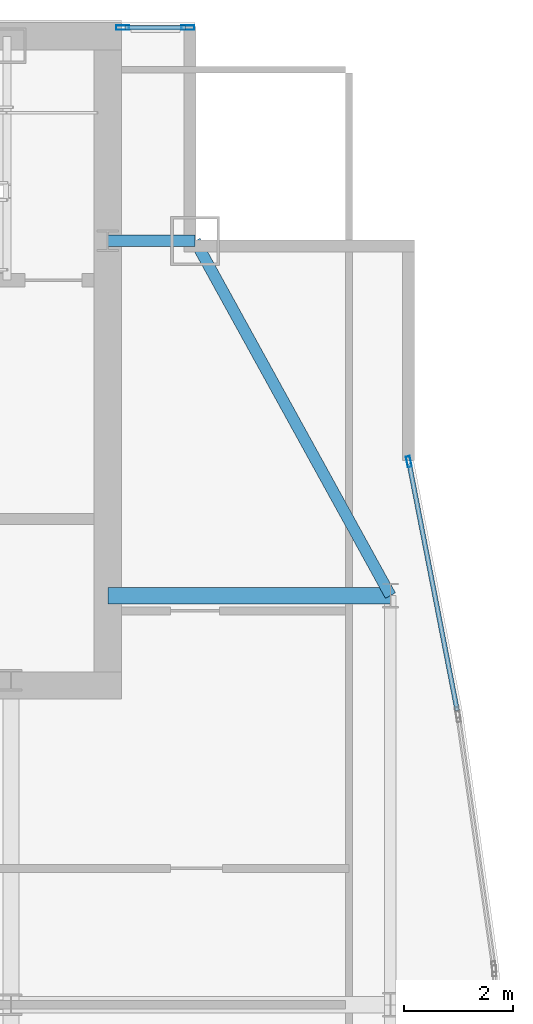
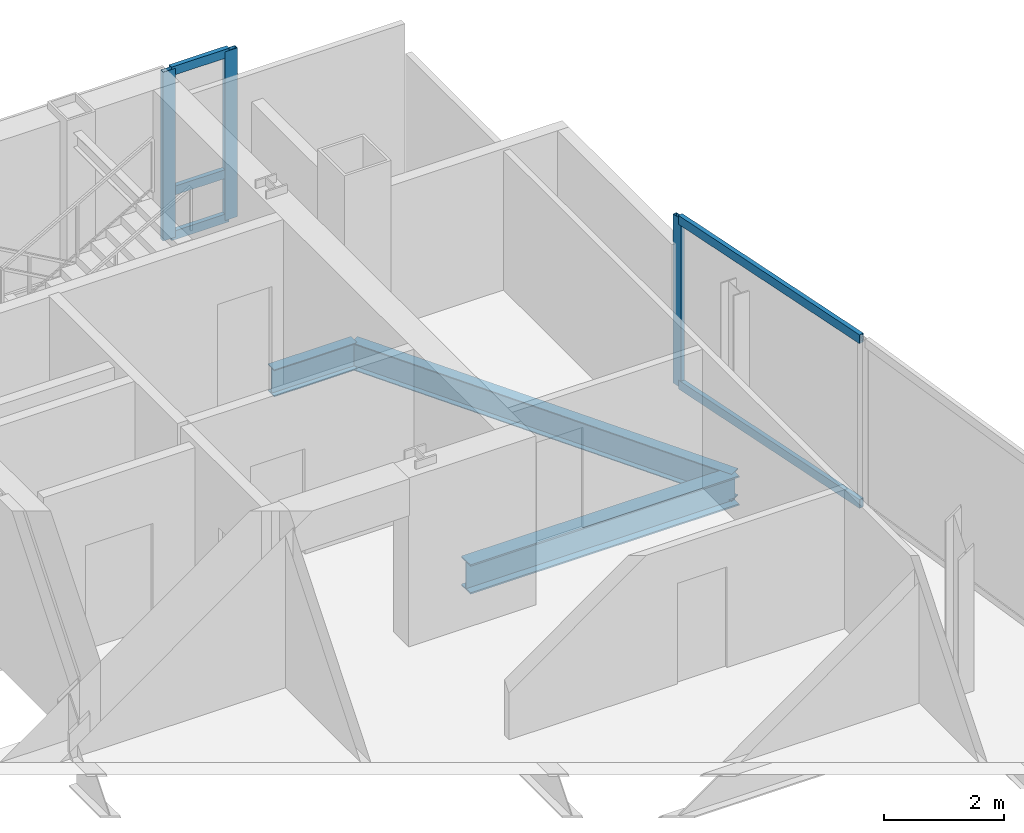
# One storey, part 20 of 27: 8 members, 3 beams, 2 elements without a shape of their own.
"""IFC4 building model written with IfcOpenShell, lengths in metres."""

import ifcopenshell
import ifcopenshell.guid

model = None  # the IFC model being written
_history = None  # IfcOwnerHistory: only IFC2X3 demands one
_inside = {}  # id of a spatial element -> (the spatial element, [elements in it])
_under = {}  # id of a project, library or spatial element -> (it, [spatial elements below it])
_declared = {}  # id of a project -> (the project, [libraries it declares])
_typed = {}  # id of a type object -> (the type object, [elements of that type])
_made_of = {}  # id of a material, layer set ... -> (it, [elements and type objects made of it])


def new_model(schema):
    """Start an empty IFC model of exactly this schema.

    Asked for "IFC4X3", IfcOpenShell would pick the latest addendum, in which some entities
    have other attributes; the version numbers below select the first issue.
    IFC2X3 requires an IfcOwnerHistory on every rooted entity: one is made here for all.
    """
    global model, _history
    if schema == "IFC4X3":
        model = ifcopenshell.file(schema_version=(4, 3, 0, 0))
    else:
        model = ifcopenshell.file(schema=schema)
    _inside.clear()
    _under.clear()
    _declared.clear()
    _typed.clear()
    _made_of.clear()
    _history = None
    if model.schema == "IFC2X3":
        org = make("IfcOrganization", Name="unknown")
        user = make(
            "IfcPersonAndOrganization",
            ThePerson=make("IfcPerson", FamilyName="unknown"),
            TheOrganization=org,
        )
        app = make(
            "IfcApplication",
            ApplicationDeveloper=org,
            Version="unknown",
            ApplicationFullName="unknown",
            ApplicationIdentifier="unknown",
        )
        _history = make(
            "IfcOwnerHistory",
            OwningUser=user,
            OwningApplication=app,
            ChangeAction="ADDED",
            CreationDate=0,
        )
    return model


def make(cls, **values):
    """One entity of the class cls with the attributes given. An attribute that is None is left unset."""
    return model.create_entity(
        cls, **{name: value for name, value in values.items() if value is not None}
    )


def rooted(cls, **values):
    """An entity with a GlobalId (a new one), such as an element, a storey or a relation."""
    return make(cls, GlobalId=ifcopenshell.guid.new(), OwnerHistory=_history, **values)


def si_unit(unit_type, name, prefix=None):
    """IfcSIUnit, for example si_unit("LENGTHUNIT", "METRE", prefix="MILLI")."""
    return make("IfcSIUnit", UnitType=unit_type, Prefix=prefix, Name=name)


def assignment(units):
    """IfcUnitAssignment: the units of a project."""
    return None if units is None else make("IfcUnitAssignment", Units=units)


def point(xyz):
    """IfcCartesianPoint."""
    return None if xyz is None else make("IfcCartesianPoint", Coordinates=xyz)


def direction(xyz):
    """IfcDirection."""
    return None if xyz is None else make("IfcDirection", DirectionRatios=xyz)


def frame(location, z_axis=None, x_axis=None):
    """IfcAxis2Placement3D, a coordinate frame: its origin and axes. An axis left out is left unset."""
    return make(
        "IfcAxis2Placement3D",
        Location=point(location),
        Axis=direction(z_axis),
        RefDirection=direction(x_axis),
    )


def frame_2d(location, x_axis=None):
    """IfcAxis2Placement2D, a coordinate frame in the plane: its origin and x axis."""
    return make(
        "IfcAxis2Placement2D", Location=point(location), RefDirection=direction(x_axis)
    )


def origin():
    """The frame at (0, 0, 0) with its axes left unset."""
    return frame((0.0, 0.0, 0.0))


def origin_2d():
    """The frame at (0, 0) in the plane with its x axis left unset."""
    return frame_2d((0.0, 0.0))


def place(relative_to, where):
    """IfcLocalPlacement: puts the frame where relative to a parent placement (None: the world)."""
    return make(
        "IfcLocalPlacement", PlacementRelTo=relative_to, RelativePlacement=where
    )


def context(
    kind, dimensions, precision=None, world=None, true_north=None, identifier=None
):
    """IfcGeometricRepresentationContext, for example the 3D "Model" context."""
    return make(
        "IfcGeometricRepresentationContext",
        ContextIdentifier=identifier,
        ContextType=kind,
        CoordinateSpaceDimension=dimensions,
        Precision=precision,
        WorldCoordinateSystem=world,
        TrueNorth=true_north,
    )


def subcontext(parent, identifier, kind, view, scale=None):
    """IfcGeometricRepresentationSubContext, for example "Body" below "Model"."""
    return make(
        "IfcGeometricRepresentationSubContext",
        ContextIdentifier=identifier,
        ContextType=kind,
        ParentContext=parent,
        TargetScale=scale,
        TargetView=view,
    )


def project(units=None, contexts=None):
    """IfcProject with its units and contexts."""
    return rooted(
        "IfcProject",
        Name="project",
        RepresentationContexts=contexts,
        UnitsInContext=assignment(units),
    )


def spatial(cls, under=None, at=None, **own):
    """A site, building, storey or space (cls), placed at a placement, below another one or the project."""
    s = rooted(cls, ObjectPlacement=at, **own)
    if under is not None:
        _under.setdefault(under.id(), (under, []))[1].append(s)
    return s


def profile(cls, at=None, kind="AREA", **sizes):
    """A parametric profile (cls). Its sizes go by their IFC names, for example OverallWidth=200.0."""
    return make(cls, ProfileType=kind, Position=at, **sizes)


def hollow_rectangle(**sizes):
    """IfcRectangleHollowProfileDef."""
    return profile("IfcRectangleHollowProfileDef", **sizes)


def i_section(**sizes):
    """IfcIShapeProfileDef."""
    return profile("IfcIShapeProfileDef", **sizes)


def extrude(swept, where, along, depth):
    """IfcExtrudedAreaSolid: the profile swept, set in the frame where, extruded along a direction by depth."""
    return make(
        "IfcExtrudedAreaSolid",
        SweptArea=swept,
        Position=where,
        ExtrudedDirection=direction(along),
        Depth=depth,
    )


def shape(context_of_items, identifier, shape_type, items):
    """IfcShapeRepresentation: the items that make up one representation, for example the "Body"."""
    return make(
        "IfcShapeRepresentation",
        ContextOfItems=context_of_items,
        RepresentationIdentifier=identifier,
        RepresentationType=shape_type,
        Items=items,
    )


def material(Name=None, Category=None):
    """IfcMaterial."""
    return make("IfcMaterial", Name=Name, Category=Category)


def material_profile(
    of_material, cross_section, Name=None, Category=None, Priority=None
):
    """IfcMaterialProfile: a cross section and its material."""
    return make(
        "IfcMaterialProfile",
        Name=Name,
        Material=of_material,
        Profile=cross_section,
        Priority=Priority,
        Category=Category,
    )


def profile_set(profiles, Name=None, composite=None):
    """IfcMaterialProfileSet."""
    return make(
        "IfcMaterialProfileSet",
        Name=Name,
        MaterialProfiles=profiles,
        CompositeProfile=composite,
    )


def made_of(thing, what):
    """Note that an element or type object is made of a material, layer set ...; save() writes the relation."""
    if what is not None:
        _made_of.setdefault(what.id(), (what, []))[1].append(thing)
    return thing


def type_object(cls, material=None, **own):
    """A type object (cls), such as IfcWallType, which elements share."""
    return made_of(rooted(cls, **own), material)


def element(
    cls,
    number,
    at=None,
    inside=None,
    cuts=None,
    type_object=None,
    material=None,
    context=None,
    identifier="Body",
    shape_type=None,
    held_by="IfcProductDefinitionShape",
    body=None,
    shapes=None,
    **own,
):
    """One element of the class cls, such as IfcWall. Its Tag is "e" and its number.

    at: its placement. inside: the storey or other place that contains it. cuts: it is an
    opening in that element (IfcRelVoidsElement). A single representation is given by context,
    identifier, shape_type and body (its items); several are given by shapes. held_by: the class
    of the entity that holds the representations. save() writes the other relations.
    """
    e = rooted(cls, Tag="e%d" % number, ObjectPlacement=at, **own)
    if body is not None:
        shapes = [shape(context, identifier, shape_type, body)]
    if shapes is not None:
        e.Representation = make(held_by, Representations=shapes)
    if inside is not None:
        _inside.setdefault(inside.id(), (inside, []))[1].append(e)
    if cuts is not None:
        rooted(
            "IfcRelVoidsElement", RelatingBuildingElement=cuts, RelatedOpeningElement=e
        )
    if type_object is not None:
        _typed.setdefault(type_object.id(), (type_object, []))[1].append(e)
    return made_of(e, material)


def aggregate(whole, parts):
    """IfcRelAggregates: a whole, such as a stair, and the parts it consists of."""
    return rooted("IfcRelAggregates", RelatingObject=whole, RelatedObjects=parts)


def save(model, path):
    """Write the relations noted so far, then the file.

    IfcRelAggregates (storeys below a building ...), IfcRelContainedInSpatialStructure (elements
    in a storey), IfcRelDefinesByType, IfcRelAssociatesMaterial and IfcRelDeclares: one each for
    every whole, place, type object, material and project.
    """
    for whole, parts in _under.values():
        aggregate(whole, parts)
    for where, things in _inside.values():
        rooted(
            "IfcRelContainedInSpatialStructure",
            RelatedElements=things,
            RelatingStructure=where,
        )
    for kind, things in _typed.values():
        rooted("IfcRelDefinesByType", RelatedObjects=things, RelatingType=kind)
    for what, things in _made_of.values():
        rooted("IfcRelAssociatesMaterial", RelatedObjects=things, RelatingMaterial=what)
    for by, libraries in _declared.values():
        rooted("IfcRelDeclares", RelatingContext=by, RelatedDefinitions=libraries)
    model.write(path)


model = new_model("IFC4")

# Units and contexts
model_context = context("Model", 3, precision=1e-05, world=origin(), true_north=direction((0.0, 1.0)))
body_context = subcontext(model_context, "Body", "Model", "MODEL_VIEW")
ifc_project = project(units=[si_unit("LENGTHUNIT", "METRE"), si_unit("AREAUNIT", "SQUARE_METRE"), si_unit("VOLUMEUNIT", "CUBIC_METRE"), si_unit("PLANEANGLEUNIT", "RADIAN"), si_unit("MASSUNIT", "GRAM", prefix="KILO")], contexts=[model_context])

# Site, building, storey
site_placement = place(None, origin())
site = spatial("IfcSite", under=ifc_project, at=site_placement, CompositionType="ELEMENT")
building_placement = place(site_placement, origin())
building = spatial("IfcBuilding", under=site, at=building_placement, Name="Khoronbel Lancet Exchange", CompositionType="ELEMENT")
storey_placement = place(building_placement, frame((0.0, 0.0, 332.60009765625)))
storey = spatial("IfcBuildingStorey", under=building, at=storey_placement, Name="L86", CompositionType="ELEMENT", Elevation=332.60009765625)

# Beams
ifc_material_1 = material(Name="Steel S355", Category="steel")
ifc_material_profile_1 = material_profile(ifc_material_1, i_section(OverallWidth=0.300048828125, OverallDepth=0.60009765625, WebThickness=0.015380859375, FlangeThickness=0.030029296875, at=origin_2d()), Name="HEB 600")
ifc_profile_set_1 = profile_set([ifc_material_profile_1], Name="Steel S355")
beam_type_1 = type_object("IfcBeamType", Name="BM-BG5", PredefinedType="BEAM", material=ifc_profile_set_1)
beam_1_placement = place(storey_placement, frame((56.449951171875, 43.199951171875, -0.460205078125), z_axis=(1.0, 0.0, 0.0), x_axis=(0.0, 1.0, 0.0)))
element("IfcBeam", 1, at=beam_1_placement, inside=storey, type_object=beam_type_1, Name="Level L86 east lens tie girder LG3E", PredefinedType="BEAM", context=body_context, shape_type="SweptSolid", body=[
    extrude(i_section(OverallWidth=0.300048828125, OverallDepth=0.60009765625, WebThickness=0.015380859375, FlangeThickness=0.030029296875, at=origin_2d()), origin(), (0.0, 0.0, 1.0), 5.179931640625),
])
ifc_material_profile_2 = material_profile(ifc_material_1, i_section(OverallWidth=0.2099609375, OverallDepth=0.550048828125, WebThickness=0.010986328125, FlangeThickness=0.01708984375, at=origin_2d()), Name="IPE 550")
ifc_profile_set_2 = profile_set([ifc_material_profile_2], Name="Steel S355")
beam_type_2 = type_object("IfcBeamType", Name="BM-BSP3", PredefinedType="SPANDREL", material=ifc_profile_set_2)
beam_2_placement = place(storey_placement, frame((61.6298828125, 43.199951171875, -0.43505859375), z_axis=(-0.482418808117, 0.875940690672, 0.0), x_axis=(-0.875940690672, -0.482418808117, 0.0)))
element("IfcBeam", 2, at=beam_2_placement, inside=storey, type_object=beam_type_2, Name="Level L86 perimeter spandrel beam SP13", PredefinedType="SPANDREL", context=body_context, shape_type="SweptSolid", body=[
    extrude(i_section(OverallWidth=0.2099609375, OverallDepth=0.550048828125, WebThickness=0.010986328125, FlangeThickness=0.01708984375, at=origin_2d()), origin(), (0.0, 0.0, 1.0), 7.420654296875),
])
beam_3_placement = place(storey_placement, frame((58.050048828125, 49.699951171875, -0.43505859375), z_axis=(-1.0, 0.0, 0.0), x_axis=(0.0, -1.0, 0.0)))
element("IfcBeam", 3, at=beam_3_placement, inside=storey, type_object=beam_type_2, Name="Level L86 north flank tie spandrel SP21", PredefinedType="SPANDREL", context=body_context, shape_type="SweptSolid", body=[
    extrude(i_section(OverallWidth=0.2099609375, OverallDepth=0.550048828125, WebThickness=0.010986328125, FlangeThickness=0.01708984375, at=origin_2d()), origin(), (0.0, 0.0, 1.0), 1.60009765625),
])

# Curtain wall, members
ifc_material_2 = material(Name="Low-E Solar Control Insulating Glass", Category="glass")
curtain_wall_type_1 = type_object("IfcCurtainWallType", Name="CW-3", PredefinedType="NOTDEFINED", material=ifc_material_2)
curtain_wall_1_placement = place(storey_placement, origin())
curtain_wall_1 = element("IfcCurtainWall", 4, at=curtain_wall_1_placement, inside=storey, type_object=curtain_wall_type_1, Name="Unitised curtain wall CW-L86-NEFLK", PredefinedType="NOTDEFINED")
ifc_material_3 = material(Name="Bronze-Anodised Aluminium 6063-T6", Category="aluminium")
ifc_material_profile_3 = material_profile(ifc_material_3, hollow_rectangle(XDim=0.0849609375, YDim=0.239990234375, WallThickness=0.006103515625, at=origin_2d()), Name="ALU MULLION 85x240")
ifc_profile_set_3 = profile_set([ifc_material_profile_3], Name="Bronze-Anodised Aluminium 6063-T6")
member_type_1 = type_object("IfcMemberType", Name="MEM-CWM1", PredefinedType="MULLION", material=ifc_profile_set_3)
member_1_placement = place(storey_placement, frame((57.91748046875, 53.610107421875, 0.0), z_axis=(0.0, 0.0, 1.0), x_axis=(0.0, -1.0, 0.0)))
member_1 = element("IfcMember", 5, at=member_1_placement, type_object=member_type_1, Name="CW3 mullion 1", PredefinedType="MULLION", context=body_context, shape_type="SweptSolid", body=[
    extrude(hollow_rectangle(XDim=0.0849609375, YDim=0.239990234375, WallThickness=0.006103515625, at=origin_2d()), origin(), (0.0, 0.0, 1.0), 3.43994140625),
])
member_2_placement = place(storey_placement, frame((56.722412109375, 53.610107421875, 0.0), z_axis=(0.0, 0.0, 1.0), x_axis=(0.0, -1.0, 0.0)))
member_2 = element("IfcMember", 6, at=member_2_placement, type_object=member_type_1, Name="CW3 mullion 2", PredefinedType="MULLION", context=body_context, shape_type="SweptSolid", body=[
    extrude(hollow_rectangle(XDim=0.0849609375, YDim=0.239990234375, WallThickness=0.006103515625, at=origin_2d()), origin(), (0.0, 0.0, 1.0), 3.43994140625),
])

# Curtain wall, member
curtain_wall_type_2 = type_object("IfcCurtainWallType", Name="CW-4", PredefinedType="NOTDEFINED", material=ifc_material_2)
curtain_wall_2_placement = place(storey_placement, origin())
curtain_wall_2 = element("IfcCurtainWall", 7, at=curtain_wall_2_placement, inside=storey, type_object=curtain_wall_type_2, Name="Unitised curtain wall CW-L86-E17", PredefinedType="NOTDEFINED")
ifc_material_profile_4 = material_profile(ifc_material_3, hollow_rectangle(XDim=0.074951171875, YDim=0.199951171875, WallThickness=0.0048828125, at=origin_2d()), Name="ALU MULLION 75x200")
ifc_profile_set_4 = profile_set([ifc_material_profile_4], Name="Bronze-Anodised Aluminium 6063-T6")
member_type_2 = type_object("IfcMemberType", Name="MEM-CWM2", PredefinedType="MULLION", material=ifc_profile_set_4)
member_3_placement = place(storey_placement, frame((61.967041015625, 45.654541015625, 0.0), z_axis=(0.0, 0.0, 1.0), x_axis=(0.981647628416, 0.190703785032, 0.0)))
member_3 = element("IfcMember", 8, at=member_3_placement, type_object=member_type_2, Name="CW4 mullion 1", PredefinedType="MULLION", context=body_context, shape_type="SweptSolid", body=[
    extrude(hollow_rectangle(XDim=0.074951171875, YDim=0.199951171875, WallThickness=0.0048828125, at=origin_2d()), origin(), (0.0, 0.0, 1.0), 3.43994140625),
])

# Member
ifc_material_profile_5 = material_profile(ifc_material_3, hollow_rectangle(XDim=0.0849609375, YDim=0.179931640625, WallThickness=0.0048828125, at=origin_2d()), Name="ALU TRANSOM 85x180")
ifc_profile_set_5 = profile_set([ifc_material_profile_5], Name="Bronze-Anodised Aluminium 6063-T6")
member_type_3 = type_object("IfcMemberType", Name="MEM-CWT1", PredefinedType="USERDEFINED", material=ifc_profile_set_5)
member_4_placement = place(storey_placement, frame((57.875, 53.610107421875, 0.04248046875), z_axis=(-1.0, 0.0, 0.0), x_axis=(0.0, -1.0, 0.0)))
member_4 = element("IfcMember", 9, at=member_4_placement, type_object=member_type_3, Name="CW3 transom 1.1", ObjectType="TRANSOM", PredefinedType="USERDEFINED", context=body_context, shape_type="SweptSolid", body=[
    extrude(hollow_rectangle(XDim=0.0849609375, YDim=0.179931640625, WallThickness=0.0048828125, at=origin_2d()), origin(), (0.0, 0.0, 1.0), 1.110107421875),
])

member_5_placement = place(storey_placement, frame((57.875, 53.610107421875, 0.949951171875), z_axis=(-1.0, 0.0, 0.0), x_axis=(0.0, -1.0, 0.0)))
member_5 = element("IfcMember", 10, at=member_5_placement, type_object=member_type_3, Name="CW3 transom 1.2", ObjectType="TRANSOM", PredefinedType="USERDEFINED", context=body_context, shape_type="SweptSolid", body=[
    extrude(hollow_rectangle(XDim=0.0849609375, YDim=0.179931640625, WallThickness=0.0048828125, at=origin_2d()), origin(), (0.0, 0.0, 1.0), 1.110107421875),
])

member_6_placement = place(storey_placement, frame((57.875, 53.610107421875, 3.3974609375), z_axis=(-1.0, 0.0, 0.0), x_axis=(0.0, -1.0, 0.0)))
member_6 = element("IfcMember", 11, at=member_6_placement, type_object=member_type_3, Name="CW3 transom 1.3", ObjectType="TRANSOM", PredefinedType="USERDEFINED", context=body_context, shape_type="SweptSolid", body=[
    extrude(hollow_rectangle(XDim=0.0849609375, YDim=0.179931640625, WallThickness=0.0048828125, at=origin_2d()), origin(), (0.0, 0.0, 1.0), 1.110107421875),
])

aggregate(curtain_wall_1, [member_1, member_2, member_4, member_5, member_6])

member_7_placement = place(storey_placement, frame((61.974365234375, 45.61767578125, 0.04248046875), z_axis=(0.19069531401, -0.981649274036, 0.0), x_axis=(0.981649274036, 0.19069531401, 0.0)))
member_7 = element("IfcMember", 12, at=member_7_placement, type_object=member_type_3, Name="CW4 transom 1.1", ObjectType="TRANSOM", PredefinedType="USERDEFINED", context=body_context, shape_type="SweptSolid", body=[
    extrude(hollow_rectangle(XDim=0.0849609375, YDim=0.179931640625, WallThickness=0.0048828125, at=origin_2d()), origin(), (0.0, 0.0, 1.0), 4.6103515625),
])

member_8_placement = place(storey_placement, frame((61.974365234375, 45.61767578125, 3.3974609375), z_axis=(0.19069531401, -0.981649274036, 0.0), x_axis=(0.981649274036, 0.19069531401, 0.0)))
member_8 = element("IfcMember", 13, at=member_8_placement, type_object=member_type_3, Name="CW4 transom 1.2", ObjectType="TRANSOM", PredefinedType="USERDEFINED", context=body_context, shape_type="SweptSolid", body=[
    extrude(hollow_rectangle(XDim=0.0849609375, YDim=0.179931640625, WallThickness=0.0048828125, at=origin_2d()), origin(), (0.0, 0.0, 1.0), 4.6103515625),
])

aggregate(curtain_wall_2, [member_3, member_7, member_8])

save(model, "model.ifc")
